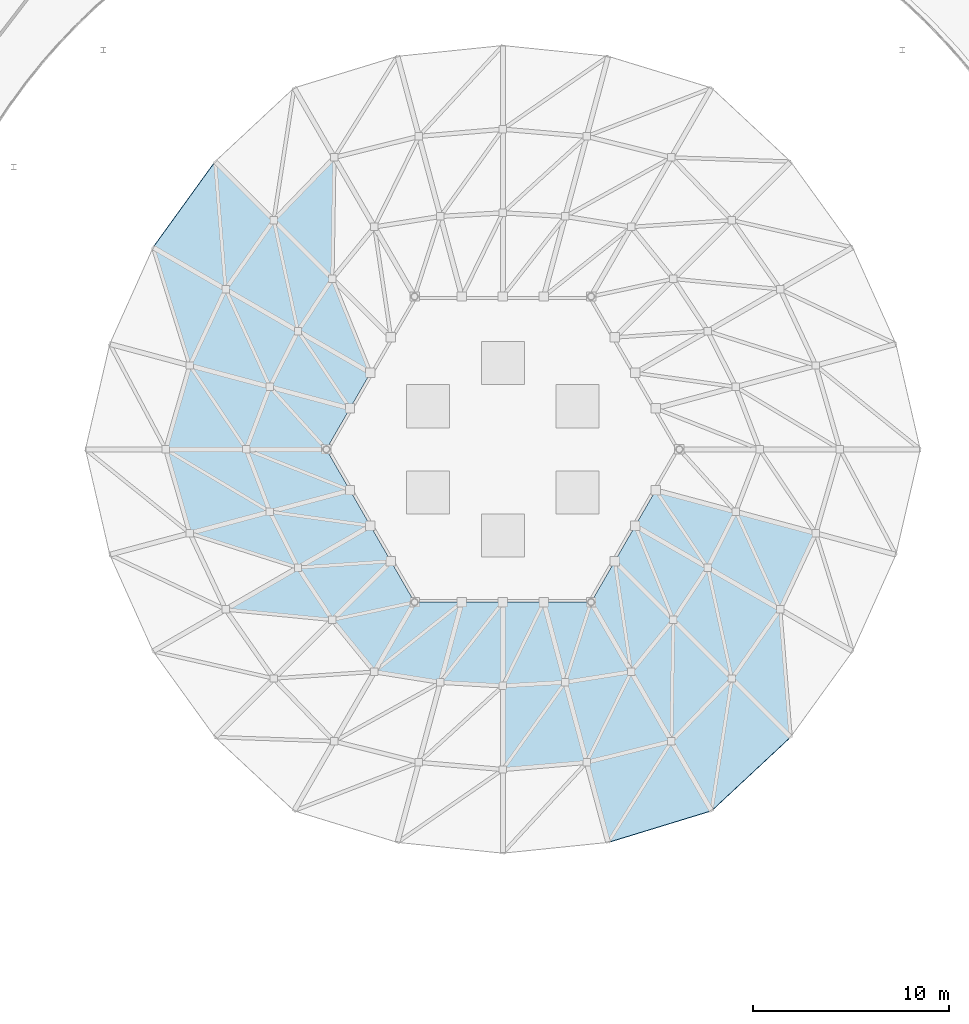
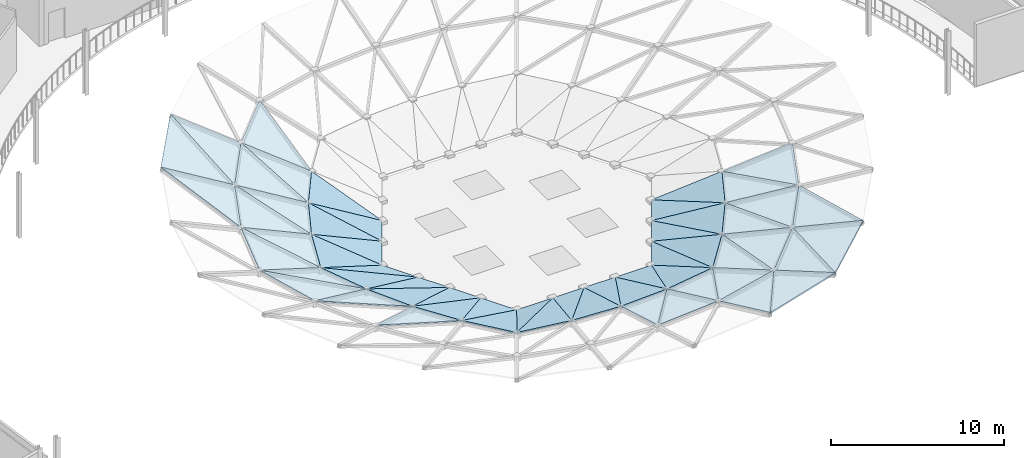
# One storey, part 94 of 116: 56 roofs.
"""IFC4 building model written with IfcOpenShell, lengths in metres."""

from ifc_helpers import new_model, si_unit, direction, frame, origin, place, context, subcontext, project, spatial, polyline, outline, extrude, material, layer, layer_set, type_object, element, save


model = new_model("IFC4")

# Units and contexts
model_context = context("Model", 3, precision=1e-05, world=origin(), true_north=direction((0.0, 1.0)))
body_context = subcontext(model_context, "Body", "Model", "MODEL_VIEW")
ifc_project = project(units=[si_unit("LENGTHUNIT", "METRE"), si_unit("AREAUNIT", "SQUARE_METRE"), si_unit("VOLUMEUNIT", "CUBIC_METRE"), si_unit("PLANEANGLEUNIT", "RADIAN"), si_unit("MASSUNIT", "GRAM", prefix="KILO")], contexts=[model_context])

# Site, building, storey
site_placement = place(None, origin())
site = spatial("IfcSite", under=ifc_project, at=site_placement, CompositionType="ELEMENT")
building_placement = place(site_placement, origin())
building = spatial("IfcBuilding", under=site, at=building_placement, Name="Almandine Court Research Institute", CompositionType="ELEMENT")
storey_placement = place(building_placement, frame((0.0, 0.0, 14.35009765625)))
storey = spatial("IfcBuildingStorey", under=building, at=storey_placement, Name="L03", CompositionType="ELEMENT", Elevation=14.35009765625)

# Roofs
ifc_material = material(Name="Insulated Laminated Low-E Glass Roof Panel", Category="glass")
ifc_layer = layer(ifc_material, 0.080078125)
ifc_layer_set = layer_set([ifc_layer], Name="Insulated Laminated Low-E Glass Roof Panel")
roof_type = type_object("IfcRoofType", Name="Roof-GS-Facet", PredefinedType="PAVILION_ROOF", material=ifc_layer_set)
roof_1_placement = place(storey_placement, frame((72.330078125, 70.669921875, 4.930908203125), z_axis=(0.230232956169, -0.166353589089, 0.958811383584), x_axis=(-0.585662293375, -0.810555166611, 0.0)))
element("IfcRoof", 1, at=roof_1_placement, inside=storey, type_object=roof_type, Name="Atrium Conical Gridshell Roof Facet R4-S09-1", PredefinedType="PAVILION_ROOF", context=body_context, shape_type="SweptSolid", body=[
    extrude(outline(polyline([(0.0, 0.0), (5.397535146552004, 4.440892098500626e-16), (4.962807064144317, 4.4256598582675), (0.0, 0.0)])), origin(), (0.0, 0.0, -1.0), 0.080078125),
])
roof_2_placement = place(storey_placement, frame((72.330078125, 70.669921875, 4.930908203125), z_axis=(0.237241872303, -0.165478550869, 0.957252914975), x_axis=(0.080150172074, -0.978691244532, -0.189048665145)))
element("IfcRoof", 2, at=roof_2_placement, inside=storey, type_object=roof_type, Name="Atrium Conical Gridshell Roof Facet R4-S09-2", PredefinedType="PAVILION_ROOF", context=body_context, shape_type="SweptSolid", body=[
    extrude(outline(polyline([(0.0, 0.0), (6.649505179861209, 0.0), (3.401506756512169, 2.804769802002481), (0.0, 0.0)])), origin(), (0.0, 0.0, -1.0), 0.080078125),
])
roof_3_placement = place(storey_placement, frame((69.1689453125, 66.294921875, 4.930908203125), z_axis=(0.256834771019, -0.120349953325, 0.958932630131), x_axis=(0.291394922162, -0.936398645851, -0.195567316764)))
element("IfcRoof", 3, at=roof_3_placement, inside=storey, type_object=roof_type, Name="Atrium Conical Gridshell Roof Facet R4-S10-2", PredefinedType="PAVILION_ROOF", context=body_context, shape_type="SweptSolid", body=[
    extrude(outline(polyline([(0.0, 0.0), (6.427863811440379, -3.885780586188048e-16), (3.3194461062989538, 2.9591774590400766), (0.0, 0.0)])), origin(), (0.0, 0.0, -1.0), 0.080078125),
])
roof_4_placement = place(storey_placement, frame((92.3701171875, 35.9599609375, 4.930908203125), z_axis=(-0.087950302591, 0.287453502986, 0.95374798972), x_axis=(0.956242466302, 0.292575367453, 0.0)))
element("IfcRoof", 4, at=roof_4_placement, inside=storey, type_object=roof_type, Name="Atrium Conical Gridshell Roof Facet R4-S19-1", PredefinedType="PAVILION_ROOF", context=body_context, shape_type="SweptSolid", body=[
    extrude(outline(polyline([(0.0, 0.0), (5.509898392714906, -2.220446049250313e-16), (4.590680245204652, 4.181801027849726), (0.0, 0.0)])), origin(), (0.0, 0.0, -1.0), 0.080078125),
])
roof_5_placement = place(storey_placement, frame((92.3701171875, 35.9599609375, 4.930908203125), z_axis=(-0.068897368868, 0.276700470974, 0.958483177696), x_axis=(0.519001013928, 0.830456663677, -0.202434377753)))
element("IfcRoof", 5, at=roof_5_placement, inside=storey, type_object=roof_type, Name="Atrium Conical Gridshell Roof Facet R4-S19-2", PredefinedType="PAVILION_ROOF", context=body_context, shape_type="SweptSolid", body=[
    extrude(outline(polyline([(0.0, 0.0), (6.209815210635279, -4.996003610813204e-16), (3.0765154988535137, 3.158423538770946), (0.0, 0.0)])), origin(), (0.0, 0.0, -1.0), 0.080078125),
])
roof_6_placement = place(storey_placement, frame((97.638916015625, 37.572021484375, 4.930908203125), z_axis=(-0.194544958843, 0.208674840216, 0.958439914679), x_axis=(0.73143670185, 0.681909342352, 0.0)))
element("IfcRoof", 6, at=roof_6_placement, inside=storey, type_object=roof_type, Name="Atrium Conical Gridshell Roof Facet R4-S20-1", PredefinedType="PAVILION_ROOF", context=body_context, shape_type="SweptSolid", body=[
    extrude(outline(polyline([(0.0, 0.0), (5.511079563249041, 0.0), (5.363089975140266, 4.406254751899209), (0.0, 0.0)])), origin(), (0.0, 0.0, -1.0), 0.080078125),
])
roof_7_placement = place(storey_placement, frame((97.638916015625, 37.572021484375, 4.930908203125), z_axis=(-0.219049677449, 0.211364896208, 0.952545074766), x_axis=(0.150261509077, 0.97191620291, -0.18110873367)))
element("IfcRoof", 7, at=roof_7_placement, inside=storey, type_object=roof_type, Name="Atrium Conical Gridshell Roof Facet R4-S20-2", PredefinedType="PAVILION_ROOF", context=body_context, shape_type="SweptSolid", body=[
    extrude(outline(polyline([(0.0, 0.0), (6.941024061338815, 5.551115123125783e-17), (3.3656154027943637, 2.646706406028168), (0.0, 0.0)])), origin(), (0.0, 0.0, -1.0), 0.080078125),
])
roof_8_placement = place(storey_placement, frame((101.669921875, 41.330078125, 4.930908203125), z_axis=(-0.237241872303, 0.165478550869, 0.957252914975), x_axis=(-0.080150172074, 0.978691244532, -0.189048665145)))
element("IfcRoof", 8, at=roof_8_placement, inside=storey, type_object=roof_type, Name="Atrium Conical Gridshell Roof Facet R4-S21-2", PredefinedType="PAVILION_ROOF", context=body_context, shape_type="SweptSolid", body=[
    extrude(outline(polyline([(0.0, 0.0), (6.649505179861209, 0.0), (3.401506756512169, 2.804769802002481), (0.0, 0.0)])), origin(), (0.0, 0.0, -1.0), 0.080078125),
])
roof_9_placement = place(storey_placement, frame((78.406982421875, 70.883056640625, 3.673828125), z_axis=(0.205195888913, -0.19799713137, 0.958484106881), x_axis=(-0.694371168279, -0.719617037502, 0.0)))
element("IfcRoof", 9, at=roof_9_placement, inside=storey, type_object=roof_type, Name="Atrium Conical Gridshell Roof Facet R5-S08-1", PredefinedType="PAVILION_ROOF", context=body_context, shape_type="SweptSolid", body=[
    extrude(outline(polyline([(0.0, 0.0), (4.448438138864603, 0.0), (4.523867569418809, 4.407693344939238), (0.0, 0.0)])), origin(), (0.0, 0.0, -1.0), 0.080078125),
])
roof_10_placement = place(storey_placement, frame((75.318115234375, 67.681884765625, 3.673828125), z_axis=(0.232664636958, -0.162285883974, 0.958921508035), x_axis=(-0.572090824344, -0.820190275912, 0.0)))
element("IfcRoof", 10, at=roof_10_placement, inside=storey, type_object=roof_type, Name="Atrium Conical Gridshell Roof Facet R5-S09-1", PredefinedType="PAVILION_ROOF", context=body_context, shape_type="SweptSolid", body=[
    extrude(outline(polyline([(0.0, 0.0), (4.291413217146875, -2.220446049250313e-16), (3.9274668964701096, 4.430602896226334), (0.0, 0.0)])), origin(), (0.0, 0.0, -1.0), 0.080078125),
])
roof_11_placement = place(storey_placement, frame((75.318115234375, 67.681884765625, 3.673828125), z_axis=(0.242923194109, -0.159574180294, 0.956830393929), x_axis=(0.209060290643, -0.954584956291, -0.212276602807)))
element("IfcRoof", 11, at=roof_11_placement, inside=storey, type_object=roof_type, Name="Atrium Conical Gridshell Roof Facet R5-S09-2", PredefinedType="PAVILION_ROOF", context=body_context, shape_type="SweptSolid", body=[
    extrude(outline(polyline([(0.0, 0.0), (5.92074642650044, 1.1102230246251565e-16), (3.7435279500078384, 2.3279709425861586), (0.0, 0.0)])), origin(), (0.0, 0.0, -1.0), 0.080078125),
])
roof_12_placement = place(storey_placement, frame((72.863037109375, 64.162109375, 3.673828125), z_axis=(0.261855414899, -0.122702571914, 0.957275206267), x_axis=(-0.424314361359, -0.905514948935, 0.0)))
element("IfcRoof", 12, at=roof_12_placement, inside=storey, type_object=roof_type, Name="Atrium Conical Gridshell Roof Facet R5-S10-1", PredefinedType="PAVILION_ROOF", context=body_context, shape_type="SweptSolid", body=[
    extrude(outline(polyline([(0.0, 0.0), (4.291735297490698, 0.0), (3.5502988629843104, 4.346229503037818), (0.0, 0.0)])), origin(), (0.0, 0.0, -1.0), 0.080078125),
])
roof_13_placement = place(storey_placement, frame((72.863037109375, 64.162109375, 3.673828125), z_axis=(0.252982203612, -0.127185035503, 0.959074539022), x_axis=(0.402885585394, -0.887427173788, -0.223955835613)))
element("IfcRoof", 13, at=roof_13_placement, inside=storey, type_object=roof_type, Name="Atrium Conical Gridshell Roof Facet R5-S10-2", PredefinedType="PAVILION_ROOF", context=body_context, shape_type="SweptSolid", body=[
    extrude(outline(polyline([(0.0, 0.0), (5.611981192910759, -2.7755575615628914e-17), (3.661346073019763, 2.521357547426801), (0.0, 0.0)])), origin(), (0.0, 0.0, -1.0), 0.080078125),
])
roof_14_placement = place(storey_placement, frame((71.0419921875, 60.27587890625, 3.673828125), z_axis=(0.292503262667, -0.084006589655, 0.952567443399), x_axis=(-0.276040029853, -0.96114613973, 0.0)))
element("IfcRoof", 14, at=roof_14_placement, inside=storey, type_object=roof_type, Name="Atrium Conical Gridshell Roof Facet R5-S11-1", PredefinedType="PAVILION_ROOF", context=body_context, shape_type="SweptSolid", body=[
    extrude(outline(polyline([(0.0, 0.0), (4.4487292093261175, 0.0), (3.318892514871909, 4.129878752759763), (0.0, 0.0)])), origin(), (0.0, 0.0, -1.0), 0.080078125),
])
roof_15_placement = place(storey_placement, frame((71.0419921875, 60.27587890625, 3.673828125), z_axis=(0.267563351652, -0.102340467121, 0.95808991313), x_axis=(0.540747625793, -0.807043367545, -0.23721932489)))
element("IfcRoof", 15, at=roof_15_placement, inside=storey, type_object=roof_type, Name="Atrium Conical Gridshell Roof Facet R5-S11-2", PredefinedType="PAVILION_ROOF", context=body_context, shape_type="SweptSolid", body=[
    extrude(outline(polyline([(0.0, 0.0), (5.298202151463203, -4.163336342344337e-16), (3.3883951947655864, 2.821031173804958), (0.0, 0.0)])), origin(), (0.0, 0.0, -1.0), 0.080078125),
])
roof_16_placement = place(storey_placement, frame((69.81396484375, 56.0, 3.673828125), z_axis=(0.274024583997, 0.078699535087, 0.958497214676), x_axis=(0.276040029853, -0.96114613973, 0.0)))
element("IfcRoof", 16, at=roof_16_placement, inside=storey, type_object=roof_type, Name="Atrium Conical Gridshell Roof Facet R5-S12-1", PredefinedType="PAVILION_ROOF", context=body_context, shape_type="SweptSolid", body=[
    extrude(outline(polyline([(0.0, 0.0), (4.4487292093261175, 0.0), (4.5240449922872505, 4.408374577134621), (0.0, 0.0)])), origin(), (0.0, 0.0, -1.0), 0.080078125),
])
roof_17_placement = place(storey_placement, frame((69.81396484375, 56.0, 3.673828125), z_axis=(0.291707988147, 0.11157556364, 0.949977548813), x_axis=(0.840637552173, -0.503725481263, -0.198970212349)))
element("IfcRoof", 17, at=roof_17_placement, inside=storey, type_object=roof_type, Name="Atrium Conical Gridshell Roof Facet R5-S12-2", PredefinedType="PAVILION_ROOF", context=body_context, shape_type="SweptSolid", body=[
    extrude(outline(polyline([(0.0, 0.0), (6.31670400640763, 2.7755575615628914e-16), (3.6908171912495162, 2.1703220796482663), (0.0, 0.0)])), origin(), (0.0, 0.0, -1.0), 0.080078125),
])
roof_18_placement = place(storey_placement, frame((71.0419921875, 51.72412109375, 3.673828125), z_axis=(0.25962706232, 0.130525691797, 0.956847340119), x_axis=(0.931224729998, -0.296251923181, -0.212262338279)))
element("IfcRoof", 18, at=roof_18_placement, inside=storey, type_object=roof_type, Name="Atrium Conical Gridshell Roof Facet R5-S13-2", PredefinedType="PAVILION_ROOF", context=body_context, shape_type="SweptSolid", body=[
    extrude(outline(polyline([(0.0, 0.0), (5.921144314580352, 2.220446049250313e-16), (3.743969515443332, 2.328547003373761), (0.0, 0.0)])), origin(), (0.0, 0.0, -1.0), 0.080078125),
])
roof_19_placement = place(storey_placement, frame((72.863037109375, 47.837890625, 3.673828125), z_axis=(0.236658485504, 0.155458946489, 0.95907521978), x_axis=(0.969971656582, -0.094804352727, -0.223980177989)))
element("IfcRoof", 19, at=roof_19_placement, inside=storey, type_object=roof_type, Name="Atrium Conical Gridshell Roof Facet R5-S14-2", PredefinedType="PAVILION_ROOF", context=body_context, shape_type="SweptSolid", body=[
    extrude(outline(polyline([(0.0, 0.0), (5.611371277518074, 5.551115123125783e-17), (3.6613561575635334, 2.521342903267013), (0.0, 0.0)])), origin(), (0.0, 0.0, -1.0), 0.080078125),
])
roof_20_placement = place(storey_placement, frame((87.0, 39.676025390625, 3.673828125), z_axis=(-0.024660696234, 0.288130376146, 0.957273595375), x_axis=(0.996357290731, 0.085276897271, 0.0)))
element("IfcRoof", 20, at=roof_20_placement, inside=storey, type_object=roof_type, Name="Atrium Conical Gridshell Roof Facet R5-S18-1", PredefinedType="PAVILION_ROOF", context=body_context, shape_type="SweptSolid", body=[
    extrude(outline(polyline([(0.0, 0.0), (4.291511635464669, -1.1102230246251565e-16), (3.549605556999933, 4.346149358941427), (0.0, 0.0)])), origin(), (0.0, 0.0, -1.0), 0.080078125),
])
roof_21_placement = place(storey_placement, frame((87.0, 39.676025390625, 3.673828125), z_axis=(-0.016264707479, 0.282637243436, 0.959088967674), x_axis=(0.567031239341, 0.792660335268, -0.223975816783)))
element("IfcRoof", 21, at=roof_21_placement, inside=storey, type_object=roof_type, Name="Atrium Conical Gridshell Roof Facet R5-S18-2", PredefinedType="PAVILION_ROOF", context=body_context, shape_type="SweptSolid", body=[
    extrude(outline(polyline([(0.0, 0.0), (5.611480540865466, -3.0531133177191805e-16), (3.6621120365239217, 2.5214838307401117), (0.0, 0.0)])), origin(), (0.0, 0.0, -1.0), 0.080078125),
])
roof_22_placement = place(storey_placement, frame((91.27587890625, 40.0419921875, 3.673828125), z_axis=(-0.073538424794, 0.295339533415, 0.952557956284), x_axis=(0.970371254748, 0.241618765744, 0.0)))
element("IfcRoof", 22, at=roof_22_placement, inside=storey, type_object=roof_type, Name="Atrium Conical Gridshell Roof Facet R5-S19-1", PredefinedType="PAVILION_ROOF", context=body_context, shape_type="SweptSolid", body=[
    extrude(outline(polyline([(0.0, 0.0), (4.448955645330045, 1.1102230246251565e-16), (3.3187737684950145, 4.129475832714017), (0.0, 0.0)])), origin(), (0.0, 0.0, -1.0), 0.080078125),
])
roof_23_placement = place(storey_placement, frame((91.27587890625, 40.0419921875, 3.673828125), z_axis=(-0.045146782352, 0.282891093236, 0.958088929803), x_axis=(0.428482325092, 0.871849549194, -0.237236718603)))
element("IfcRoof", 23, at=roof_23_placement, inside=storey, type_object=roof_type, Name="Atrium Conical Gridshell Roof Facet R5-S19-2", PredefinedType="PAVILION_ROOF", context=body_context, shape_type="SweptSolid", body=[
    extrude(outline(polyline([(0.0, 0.0), (5.297813698066373, 1.942890293094024e-16), (3.3883275857332125, 2.821112378344619), (0.0, 0.0)])), origin(), (0.0, 0.0, -1.0), 0.080078125),
])
roof_24_placement = place(storey_placement, frame((95.593017578125, 41.116943359375, 3.673828125), z_axis=(-0.205195888913, 0.19799713137, 0.958484106881), x_axis=(0.694371168279, 0.719617037502, 0.0)))
element("IfcRoof", 24, at=roof_24_placement, inside=storey, type_object=roof_type, Name="Atrium Conical Gridshell Roof Facet R5-S20-1", PredefinedType="PAVILION_ROOF", context=body_context, shape_type="SweptSolid", body=[
    extrude(outline(polyline([(0.0, 0.0), (4.448438138864603, 0.0), (4.523867569418809, 4.407693344939238), (0.0, 0.0)])), origin(), (0.0, 0.0, -1.0), 0.080078125),
])
roof_25_placement = place(storey_placement, frame((95.593017578125, 41.116943359375, 3.673828125), z_axis=(-0.242412801021, 0.196879290768, 0.94998662031), x_axis=(0.016002627322, 0.979871020808, -0.198989191918)))
element("IfcRoof", 25, at=roof_25_placement, inside=storey, type_object=roof_type, Name="Atrium Conical Gridshell Roof Facet R5-S20-2", PredefinedType="PAVILION_ROOF", context=body_context, shape_type="SweptSolid", body=[
    extrude(outline(polyline([(0.0, 0.0), (6.316101519819079, 0.0), (3.6899467939311013, 2.1712149561139853), (0.0, 0.0)])), origin(), (0.0, 0.0, -1.0), 0.080078125),
])
roof_26_placement = place(storey_placement, frame((98.681884765625, 44.318115234375, 3.673828125), z_axis=(-0.232664636958, 0.162285883974, 0.958921508035), x_axis=(0.572090824344, 0.820190275912, 0.0)))
element("IfcRoof", 26, at=roof_26_placement, inside=storey, type_object=roof_type, Name="Atrium Conical Gridshell Roof Facet R5-S21-1", PredefinedType="PAVILION_ROOF", context=body_context, shape_type="SweptSolid", body=[
    extrude(outline(polyline([(0.0, 0.0), (4.291413217146875, -2.220446049250313e-16), (3.9274668964701096, 4.430602896226334), (0.0, 0.0)])), origin(), (0.0, 0.0, -1.0), 0.080078125),
])
roof_27_placement = place(storey_placement, frame((98.681884765625, 44.318115234375, 3.673828125), z_axis=(-0.242923194109, 0.159574180294, 0.956830393929), x_axis=(-0.209060290643, 0.954584956291, -0.212276602807)))
element("IfcRoof", 27, at=roof_27_placement, inside=storey, type_object=roof_type, Name="Atrium Conical Gridshell Roof Facet R5-S21-2", PredefinedType="PAVILION_ROOF", context=body_context, shape_type="SweptSolid", body=[
    extrude(outline(polyline([(0.0, 0.0), (5.92074642650044, 1.1102230246251565e-16), (3.7435279500078384, 2.3279709425861586), (0.0, 0.0)])), origin(), (0.0, 0.0, -1.0), 0.080078125),
])
roof_28_placement = place(storey_placement, frame((101.136962890625, 47.837890625, 3.673828125), z_axis=(-0.261855414899, 0.122702571914, 0.957275206267), x_axis=(0.424314361359, 0.905514948935, 0.0)))
element("IfcRoof", 28, at=roof_28_placement, inside=storey, type_object=roof_type, Name="Atrium Conical Gridshell Roof Facet R5-S22-1", PredefinedType="PAVILION_ROOF", context=body_context, shape_type="SweptSolid", body=[
    extrude(outline(polyline([(0.0, 0.0), (4.291735297490698, 0.0), (3.5502988629843104, 4.346229503037818), (0.0, 0.0)])), origin(), (0.0, 0.0, -1.0), 0.080078125),
])
roof_29_placement = place(storey_placement, frame((101.136962890625, 47.837890625, 3.673828125), z_axis=(-0.252982203612, 0.127185035503, 0.959074539022), x_axis=(-0.402885585394, 0.887427173788, -0.223955835613)))
element("IfcRoof", 29, at=roof_29_placement, inside=storey, type_object=roof_type, Name="Atrium Conical Gridshell Roof Facet R5-S22-2", PredefinedType="PAVILION_ROOF", context=body_context, shape_type="SweptSolid", body=[
    extrude(outline(polyline([(0.0, 0.0), (5.611981192910759, -2.7755575615628914e-17), (3.661346073019763, 2.521357547426801), (0.0, 0.0)])), origin(), (0.0, 0.0, -1.0), 0.080078125),
])
roof_30_placement = place(storey_placement, frame((78.305908203125, 64.694091796875, 2.4169921875), z_axis=(0.236621196226, -0.15543445148, 0.959088390499), x_axis=(-0.549031151656, -0.835801887119, 0.0)))
element("IfcRoof", 30, at=roof_30_placement, inside=storey, type_object=roof_type, Name="Atrium Conical Gridshell Roof Facet R6-S09-1", PredefinedType="PAVILION_ROOF", context=body_context, shape_type="SweptSolid", body=[
    extrude(outline(polyline([(0.0, 0.0), (3.1874329803003314, 2.220446049250313e-16), (2.9420742723056232, 4.4403033976388935), (0.0, 0.0)])), origin(), (0.0, 0.0, -1.0), 0.080078125),
])
roof_31_placement = place(storey_placement, frame((76.555908203125, 62.030029296875, 2.4169921875), z_axis=(0.259673235102, -0.130548904841, 0.956831643716), x_axis=(-0.449173106182, -0.893444749653, 0.0)))
element("IfcRoof", 31, at=roof_31_placement, inside=storey, type_object=roof_type, Name="Atrium Conical Gridshell Roof Facet R6-S10-1", PredefinedType="PAVILION_ROOF", context=body_context, shape_type="SweptSolid", body=[
    extrude(outline(polyline([(0.0, 0.0), (3.187823905569165, 0.0), (2.3317085705684795, 4.325172732006644), (0.0, 0.0)])), origin(), (0.0, 0.0, -1.0), 0.080078125),
])
roof_32_placement = place(storey_placement, frame((76.555908203125, 62.030029296875, 2.4169921875), z_axis=(0.244835211581, -0.141284124793, 0.959215572878), x_axis=(0.539343454314, -0.80228270445, -0.255834126786)))
element("IfcRoof", 32, at=roof_32_placement, inside=storey, type_object=roof_type, Name="Atrium Conical Gridshell Roof Facet R6-S10-2", PredefinedType="PAVILION_ROOF", context=body_context, shape_type="SweptSolid", body=[
    extrude(outline(polyline([(0.0, 0.0), (4.913652818398581, -1.3877787807814457e-16), (4.025302664753458, 1.8903527754895475), (0.0, 0.0)])), origin(), (0.0, 0.0, -1.0), 0.080078125),
])
roof_33_placement = place(storey_placement, frame((75.1240234375, 59.181884765625, 2.4169921875), z_axis=(0.291759123838, -0.11159512256, 0.949959547706), x_axis=(-0.357249639578, -0.934008937335, 0.0)))
element("IfcRoof", 33, at=roof_33_placement, inside=storey, type_object=roof_type, Name="Atrium Conical Gridshell Roof Facet R6-S11-1", PredefinedType="PAVILION_ROOF", context=body_context, shape_type="SweptSolid", body=[
    extrude(outline(polyline([(0.0, 0.0), (3.406696272847052, -2.220446049250313e-16), (1.9444672182770693, 4.024292411049473), (0.0, 0.0)])), origin(), (0.0, 0.0, -1.0), 0.080078125),
])
roof_34_placement = place(storey_placement, frame((75.1240234375, 59.181884765625, 2.4169921875), z_axis=(0.25485929817, -0.147217602077, 0.955705873046), x_axis=(0.643476007663, -0.711920442095, -0.281261287221)))
element("IfcRoof", 34, at=roof_34_placement, inside=storey, type_object=roof_type, Name="Atrium Conical Gridshell Roof Facet R6-S11-2", PredefinedType="PAVILION_ROOF", context=body_context, shape_type="SweptSolid", body=[
    extrude(outline(polyline([(0.0, 0.0), (4.4694386865225635, -2.7755575615628914e-16), (3.7590939250631155, 2.304184343986117), (0.0, 0.0)])), origin(), (0.0, 0.0, -1.0), 0.080078125),
])
roof_35_placement = place(storey_placement, frame((73.906982421875, 56.0, 2.4169921875), z_axis=(0.267611059546, 0.102358714942, 0.958074639203), x_axis=(0.357249639578, -0.934008937335, 0.0)))
element("IfcRoof", 35, at=roof_35_placement, inside=storey, type_object=roof_type, Name="Atrium Conical Gridshell Roof Facet R6-S12-1", PredefinedType="PAVILION_ROOF", context=body_context, shape_type="SweptSolid", body=[
    extrude(outline(polyline([(0.0, 0.0), (3.406696272847052, 0.0), (3.8432001609182174, 4.387427148593571), (0.0, 0.0)])), origin(), (0.0, 0.0, -1.0), 0.080078125),
])
roof_36_placement = place(storey_placement, frame((73.906982421875, 56.0, 2.4169921875), z_axis=(0.289459851461, 0.167204357603, 0.942473181152), x_axis=(0.908520171014, -0.357966574638, -0.215525010852)))
element("IfcRoof", 36, at=roof_36_placement, inside=storey, type_object=roof_type, Name="Atrium Conical Gridshell Roof Facet R6-S12-2", PredefinedType="PAVILION_ROOF", context=body_context, shape_type="SweptSolid", body=[
    extrude(outline(polyline([(0.0, 0.0), (5.832641293710571, 5.551115123125783e-17), (3.9895212275214598, 1.5545943499236905), (0.0, 0.0)])), origin(), (0.0, 0.0, -1.0), 0.080078125),
])
roof_37_placement = place(storey_placement, frame((75.1240234375, 52.818115234375, 2.4169921875), z_axis=(0.252943825079, 0.127165740964, 0.959087220058), x_axis=(0.449173106182, -0.893444749653, 0.0)))
element("IfcRoof", 37, at=roof_37_placement, inside=storey, type_object=roof_type, Name="Atrium Conical Gridshell Roof Facet R6-S13-1", PredefinedType="PAVILION_ROOF", context=body_context, shape_type="SweptSolid", body=[
    extrude(outline(polyline([(0.0, 0.0), (3.187823905569165, 2.220446049250313e-16), (2.9413423362126205, 4.440241209060591), (0.0, 0.0)])), origin(), (0.0, 0.0, -1.0), 0.080078125),
])
roof_38_placement = place(storey_placement, frame((75.1240234375, 52.818115234375, 2.4169921875), z_axis=(0.25489647489, 0.147090057575, 0.955715596844), x_axis=(0.962427667896, -0.134261318311, -0.236023054963)))
element("IfcRoof", 38, at=roof_38_placement, inside=storey, type_object=roof_type, Name="Atrium Conical Gridshell Roof Facet R6-S13-2", PredefinedType="PAVILION_ROOF", context=body_context, shape_type="SweptSolid", body=[
    extrude(outline(polyline([(0.0, 0.0), (5.326090192011077, -2.7755575615628914e-17), (4.078478601041782, 1.675131317049925), (0.0, 0.0)])), origin(), (0.0, 0.0, -1.0), 0.080078125),
])
roof_39_placement = place(storey_placement, frame((76.555908203125, 49.969970703125, 2.4169921875), z_axis=(0.242948220284, 0.159590619776, 0.956821298018), x_axis=(0.549031151656, -0.835801887119, 0.0)))
element("IfcRoof", 39, at=roof_39_placement, inside=storey, type_object=roof_type, Name="Atrium Conical Gridshell Roof Facet R6-S14-1", PredefinedType="PAVILION_ROOF", context=body_context, shape_type="SweptSolid", body=[
    extrude(outline(polyline([(0.0, 0.0), (3.1874329803003314, 0.0), (2.3305513808538896, 4.32466597338489), (0.0, 0.0)])), origin(), (0.0, 0.0, -1.0), 0.080078125),
])
roof_40_placement = place(storey_placement, frame((76.555908203125, 49.969970703125, 2.4169921875), z_axis=(0.244835211581, 0.141284124793, 0.959215572878), x_axis=(0.964454967992, 0.0659469131, -0.255885949925)))
element("IfcRoof", 40, at=roof_40_placement, inside=storey, type_object=roof_type, Name="Atrium Conical Gridshell Roof Facet R6-S14-2", PredefinedType="PAVILION_ROOF", context=body_context, shape_type="SweptSolid", body=[
    extrude(outline(polyline([(0.0, 0.0), (4.91265768399886, -1.1102230246251565e-16), (4.025122816551633, 1.8907356955290664), (0.0, 0.0)])), origin(), (0.0, 0.0, -1.0), 0.080078125),
])
roof_41_placement = place(storey_placement, frame((78.305908203125, 47.305908203125, 2.4169921875), z_axis=(0.242465482407, 0.196922076768, 0.949964307499), x_axis=(0.630436165424, -0.776241097421, 0.0)))
element("IfcRoof", 41, at=roof_41_placement, inside=storey, type_object=roof_type, Name="Atrium Conical Gridshell Roof Facet R6-S15-1", PredefinedType="PAVILION_ROOF", context=body_context, shape_type="SweptSolid", body=[
    extrude(outline(polyline([(0.0, 0.0), (3.407471647711367, 0.0), (1.9453764549883759, 4.024478906037706), (0.0, 0.0)])), origin(), (0.0, 0.0, -1.0), 0.080078125),
])
roof_42_placement = place(storey_placement, frame((78.305908203125, 47.305908203125, 2.4169921875), z_axis=(0.254855057782, 0.147215152648, 0.955707381134), x_axis=(0.938275099791, 0.201374951565, -0.281225827395)))
element("IfcRoof", 42, at=roof_42_placement, inside=storey, type_object=roof_type, Name="Atrium Conical Gridshell Roof Facet R6-S15-2", PredefinedType="PAVILION_ROOF", context=body_context, shape_type="SweptSolid", body=[
    extrude(outline(polyline([(0.0, 0.0), (4.470002239011251, 1.3877787807814457e-17), (3.7588400302253597, 2.303932178688944), (0.0, 0.0)])), origin(), (0.0, 0.0, -1.0), 0.080078125),
])
roof_43_placement = place(storey_placement, frame((80.4541015625, 44.660888671875, 2.4169921875), z_axis=(0.045154832234, 0.282941534039, 0.958073655541), x_axis=(0.987503611538, -0.157596374321, 0.0)))
element("IfcRoof", 43, at=roof_43_placement, inside=storey, type_object=roof_type, Name="Atrium Conical Gridshell Roof Facet R6-S16-1", PredefinedType="PAVILION_ROOF", context=body_context, shape_type="SweptSolid", body=[
    extrude(outline(polyline([(0.0, 0.0), (3.4065836646767456, 0.0), (3.843593504679481, 4.387376782116842), (0.0, 0.0)])), origin(), (0.0, 0.0, -1.0), 0.080078125),
])
roof_44_placement = place(storey_placement, frame((80.4541015625, 44.660888671875, 2.4169921875), z_axis=(0.0, 0.334201561575, 0.942501626652), x_axis=(0.764291587457, 0.60779179307, -0.215516833725)))
element("IfcRoof", 44, at=roof_44_placement, inside=storey, type_object=roof_type, Name="Atrium Conical Gridshell Roof Facet R6-S16-2", PredefinedType="PAVILION_ROOF", context=body_context, shape_type="SweptSolid", body=[
    extrude(outline(polyline([(0.0, 0.0), (5.832862595456218, -5.551115123125783e-16), (3.9893076921174675, 1.5554989409634916), (0.0, 0.0)])), origin(), (0.0, 0.0, -1.0), 0.080078125),
])
roof_45_placement = place(storey_placement, frame((83.818115234375, 44.1240234375, 2.4169921875), z_axis=(0.01626675709, 0.282672860207, 0.959078436165), x_axis=(0.998348316891, -0.05745118067, 0.0)))
element("IfcRoof", 45, at=roof_45_placement, inside=storey, type_object=roof_type, Name="Atrium Conical Gridshell Roof Facet R6-S17-1", PredefinedType="PAVILION_ROOF", context=body_context, shape_type="SweptSolid", body=[
    extrude(outline(polyline([(0.0, 0.0), (3.1871489256704995, 0.0), (2.9421117854605363, 4.4397745835082665), (0.0, 0.0)])), origin(), (0.0, 0.0, -1.0), 0.080078125),
])
roof_46_placement = place(storey_placement, frame((83.818115234375, 44.1240234375, 2.4169921875), z_axis=(0.0, 0.294314787777, 0.955708535954), x_axis=(0.59741069901, 0.766416549332, -0.236021460079)))
element("IfcRoof", 46, at=roof_46_placement, inside=storey, type_object=roof_type, Name="Atrium Conical Gridshell Roof Facet R6-S17-2", PredefinedType="PAVILION_ROOF", context=body_context, shape_type="SweptSolid", body=[
    extrude(outline(polyline([(0.0, 0.0), (5.326126182368551, -8.326672684688674e-17), (4.078797984630583, 1.674353495857624), (0.0, 0.0)])), origin(), (0.0, 0.0, -1.0), 0.080078125),
])
roof_47_placement = place(storey_placement, frame((87.0, 43.94091796875, 2.4169921875), z_axis=(-0.016698957872, 0.290183357263, 0.956825357092), x_axis=(0.998348316891, 0.05745118067, 0.0)))
element("IfcRoof", 47, at=roof_47_placement, inside=storey, type_object=roof_type, Name="Atrium Conical Gridshell Roof Facet R6-S18-1", PredefinedType="PAVILION_ROOF", context=body_context, shape_type="SweptSolid", body=[
    extrude(outline(polyline([(0.0, 0.0), (3.1871489256704995, 0.0), (2.3294792315317996, 4.324864775258665), (0.0, 0.0)])), origin(), (0.0, 0.0, -1.0), 0.080078125),
])
roof_48_placement = place(storey_placement, frame((87.0, 43.94091796875, 2.4169921875), z_axis=(0.0, 0.282710266294, 0.959205350971), x_axis=(0.42503111562, 0.868252290679, -0.255903322536)))
element("IfcRoof", 48, at=roof_48_placement, inside=storey, type_object=roof_type, Name="Atrium Conical Gridshell Roof Facet R6-S18-2", PredefinedType="PAVILION_ROOF", context=body_context, shape_type="SweptSolid", body=[
    extrude(outline(polyline([(0.0, 0.0), (4.9123241764373775, -2.498001805406602e-16), (4.024905694800356, 1.8899142045108641), (0.0, 0.0)])), origin(), (0.0, 0.0, -1.0), 0.080078125),
])
roof_49_placement = place(storey_placement, frame((90.181884765625, 44.1240234375, 2.4169921875), z_axis=(-0.049224481487, 0.308442078403, 0.949968649321), x_axis=(0.987503611538, 0.157596374321, 0.0)))
element("IfcRoof", 49, at=roof_49_placement, inside=storey, type_object=roof_type, Name="Atrium Conical Gridshell Roof Facet R6-S19-1", PredefinedType="PAVILION_ROOF", context=body_context, shape_type="SweptSolid", body=[
    extrude(outline(polyline([(0.0, 0.0), (3.4065836646767456, 0.0), (1.9449568792346867, 4.024649047780993), (0.0, 0.0)])), origin(), (0.0, 0.0, -1.0), 0.080078125),
])
roof_50_placement = place(storey_placement, frame((90.181884765625, 44.1240234375, 2.4169921875), z_axis=(0.0, 0.294314787777, 0.955708535954), x_axis=(0.294882157136, 0.913211644253, -0.28122767681)))
element("IfcRoof", 50, at=roof_50_placement, inside=storey, type_object=roof_type, Name="Atrium Conical Gridshell Roof Facet R6-S19-2", PredefinedType="PAVILION_ROOF", context=body_context, shape_type="SweptSolid", body=[
    extrude(outline(polyline([(0.0, 0.0), (4.469972843305291, 1.3877787807814457e-16), (3.758684827556352, 2.3048516211710526), (0.0, 0.0)])), origin(), (0.0, 0.0, -1.0), 0.080078125),
])
roof_51_placement = place(storey_placement, frame((93.5458984375, 44.660888671875, 2.4169921875), z_axis=(-0.222421159748, 0.180642771333, 0.958069421734), x_axis=(0.630436165424, 0.776241097421, 0.0)))
element("IfcRoof", 51, at=roof_51_placement, inside=storey, type_object=roof_type, Name="Atrium Conical Gridshell Roof Facet R6-S20-1", PredefinedType="PAVILION_ROOF", context=body_context, shape_type="SweptSolid", body=[
    extrude(outline(polyline([(0.0, 0.0), (3.407471647711367, 0.0), (3.843142195247195, 4.387160018831407), (0.0, 0.0)])), origin(), (0.0, 0.0, -1.0), 0.080078125),
])
roof_52_placement = place(storey_placement, frame((93.5458984375, 44.660888671875, 2.4169921875), z_axis=(-0.289414630834, 0.167178236239, 0.942491702238), x_axis=(-0.143996200342, 0.965821026303, -0.215533847546)))
element("IfcRoof", 52, at=roof_52_placement, inside=storey, type_object=roof_type, Name="Atrium Conical Gridshell Roof Facet R6-S20-2", PredefinedType="PAVILION_ROOF", context=body_context, shape_type="SweptSolid", body=[
    extrude(outline(polyline([(0.0, 0.0), (5.832402160664355, 0.0), (3.989540786822544, 1.5549010026382675), (0.0, 0.0)])), origin(), (0.0, 0.0, -1.0), 0.080078125),
])
roof_53_placement = place(storey_placement, frame((95.694091796875, 47.305908203125, 2.4169921875), z_axis=(-0.236621196226, 0.15543445148, 0.959088390499), x_axis=(0.549031151656, 0.835801887119, 0.0)))
element("IfcRoof", 53, at=roof_53_placement, inside=storey, type_object=roof_type, Name="Atrium Conical Gridshell Roof Facet R6-S21-1", PredefinedType="PAVILION_ROOF", context=body_context, shape_type="SweptSolid", body=[
    extrude(outline(polyline([(0.0, 0.0), (3.1874329803003314, 2.220446049250313e-16), (2.9420742723056232, 4.4403033976388935), (0.0, 0.0)])), origin(), (0.0, 0.0, -1.0), 0.080078125),
])
roof_54_placement = place(storey_placement, frame((95.694091796875, 47.305908203125, 2.4169921875), z_axis=(-0.254946939491, 0.147119178578, 0.955697653727), x_axis=(-0.364981677471, 0.900605924981, -0.236002845322)))
element("IfcRoof", 54, at=roof_54_placement, inside=storey, type_object=roof_type, Name="Atrium Conical Gridshell Roof Facet R6-S21-2", PredefinedType="PAVILION_ROOF", context=body_context, shape_type="SweptSolid", body=[
    extrude(outline(polyline([(0.0, 0.0), (5.326546281301437, -5.551115123125783e-17), (4.078297196525203, 1.6746563329942181), (0.0, 0.0)])), origin(), (0.0, 0.0, -1.0), 0.080078125),
])
roof_55_placement = place(storey_placement, frame((97.444091796875, 49.969970703125, 2.4169921875), z_axis=(-0.259673235102, 0.130548904841, 0.956831643716), x_axis=(0.449173106182, 0.893444749653, 0.0)))
element("IfcRoof", 55, at=roof_55_placement, inside=storey, type_object=roof_type, Name="Atrium Conical Gridshell Roof Facet R6-S22-1", PredefinedType="PAVILION_ROOF", context=body_context, shape_type="SweptSolid", body=[
    extrude(outline(polyline([(0.0, 0.0), (3.187823905569165, 0.0), (2.3317085705684795, 4.325172732006644), (0.0, 0.0)])), origin(), (0.0, 0.0, -1.0), 0.080078125),
])
roof_56_placement = place(storey_placement, frame((97.444091796875, 49.969970703125, 2.4169921875), z_axis=(-0.244835211581, 0.141284124793, 0.959215572878), x_axis=(-0.539343454314, 0.80228270445, -0.255834126786)))
element("IfcRoof", 56, at=roof_56_placement, inside=storey, type_object=roof_type, Name="Atrium Conical Gridshell Roof Facet R6-S22-2", PredefinedType="PAVILION_ROOF", context=body_context, shape_type="SweptSolid", body=[
    extrude(outline(polyline([(0.0, 0.0), (4.913652818398581, -1.3877787807814457e-16), (4.025302664753458, 1.8903527754895475), (0.0, 0.0)])), origin(), (0.0, 0.0, -1.0), 0.080078125),
])

save(model, "model.ifc")
